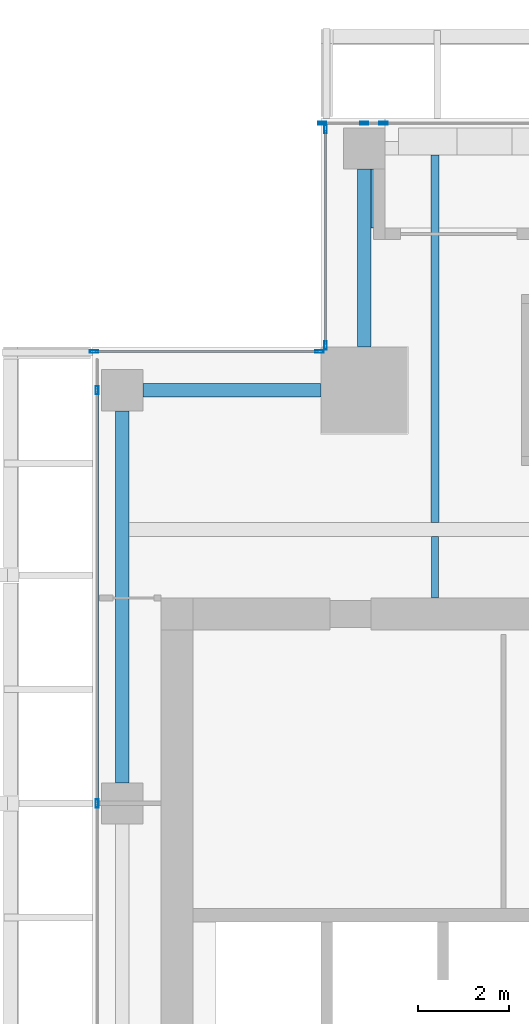
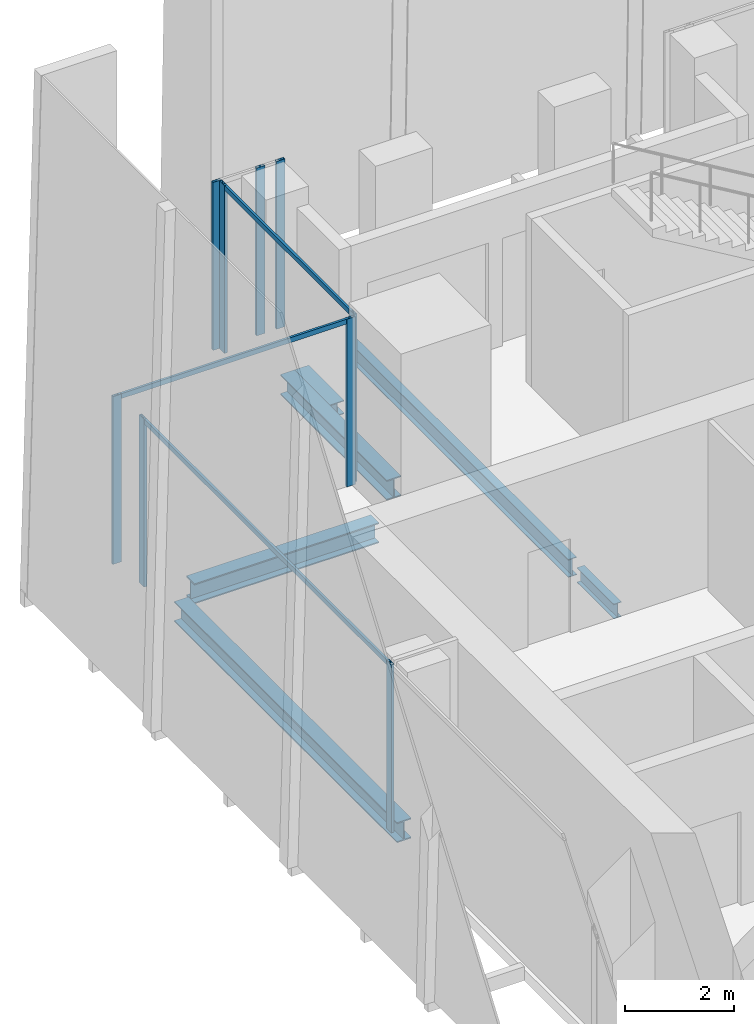
# One storey, part 14 of 35: 12 members, 6 beams, 4 elements without a shape of their own.
"""IFC4 building model written with IfcOpenShell, lengths in metres."""

from ifc_helpers import new_model, si_unit, direction, frame, origin, origin_2d, place, context, subcontext, project, spatial, hollow_rectangle, i_section, extrude, source, transform, mapped, material, material_profile, profile_set, type_object, element, aggregate, save


model = new_model("IFC4")

# Units and contexts
model_context = context("Model", 3, precision=1e-05, world=origin(), true_north=direction((0.0, 1.0)))
body_context = subcontext(model_context, "Body", "Model", "MODEL_VIEW")
ifc_project = project(units=[si_unit("LENGTHUNIT", "METRE"), si_unit("AREAUNIT", "SQUARE_METRE"), si_unit("VOLUMEUNIT", "CUBIC_METRE"), si_unit("PLANEANGLEUNIT", "RADIAN"), si_unit("MASSUNIT", "GRAM", prefix="KILO")], contexts=[model_context])

# Site, building, storey
site_placement = place(None, origin())
site = spatial("IfcSite", under=ifc_project, at=site_placement, CompositionType="ELEMENT")
building_placement = place(site_placement, origin())
building = spatial("IfcBuilding", under=site, at=building_placement, Name="Khomas Fold Tower", CompositionType="ELEMENT")
storey_placement = place(building_placement, frame((0.0, 0.0, 246.199951171875)))
storey = spatial("IfcBuildingStorey", under=building, at=storey_placement, Name="L55", CompositionType="ELEMENT", Elevation=246.199951171875)

# Beams
ifc_material_1 = material(Name="Steel S355", Category="steel")
ifc_material_profile_1 = material_profile(ifc_material_1, i_section(OverallWidth=0.159912109375, OverallDepth=0.330078125, WebThickness=0.007568359375, FlangeThickness=0.011474609375, at=origin_2d()), Name="IPE 330")
ifc_profile_set_1 = profile_set([ifc_material_profile_1], Name="Steel S355")
beam_type_1 = type_object("IfcBeamType", Name="IPE 330 beam JB1", PredefinedType="BEAM", material=ifc_profile_set_1)
shared_shape_1 = source(origin(), body_context, "Body", "SweptSolid", [
    extrude(i_section(OverallWidth=0.159912109375, OverallDepth=0.330078125, WebThickness=0.007568359375, FlangeThickness=0.011474609375, at=origin_2d()), origin(), (0.0, 0.0, 1.0), 1.35009765625),
])
beam_1_placement = place(storey_placement, frame((12.0, 39.0, -0.4150390625), z_axis=(0.0, 1.0, 0.0), x_axis=(-1.0, 0.0, 0.0)))
element("IfcBeam", 1, at=beam_1_placement, inside=storey, type_object=beam_type_1, Name="JB1", PredefinedType="BEAM", context=body_context, shape_type="MappedRepresentation", body=[
    mapped(shared_shape_1, transform((0.0, 0.0, 0.0))),
])
ifc_material_2 = material(Name="Steel S355", Category="steel")
ifc_material_profile_2 = material_profile(ifc_material_2, i_section(OverallWidth=0.300048828125, OverallDepth=0.449951171875, WebThickness=0.013916015625, FlangeThickness=0.02587890625, at=origin_2d()), Name="HE 450 B")
ifc_profile_set_2 = profile_set([ifc_material_profile_2], Name="Steel S355")
beam_type_2 = type_object("IfcBeamType", Name="HE 450 B spandrel SB4", PredefinedType="SPANDREL", material=ifc_profile_set_2)
shared_shape_2 = source(origin(), body_context, "Body", "SweptSolid", [
    extrude(i_section(OverallWidth=0.300048828125, OverallDepth=0.449951171875, WebThickness=0.013916015625, FlangeThickness=0.02587890625, at=origin_2d()), origin(), (0.0, 0.0, 1.0), 8.150146484375),
])
beam_2_placement = place(storey_placement, frame((5.14990234375, 34.949951171875, -0.474853515625), z_axis=(0.0, 1.0, 0.0), x_axis=(-1.0, 0.0, 0.0)))
element("IfcBeam", 2, at=beam_2_placement, inside=storey, type_object=beam_type_2, Name="SB4", PredefinedType="SPANDREL", context=body_context, shape_type="MappedRepresentation", body=[
    mapped(shared_shape_2, transform((0.0, 0.0, 0.0))),
])
shared_shape_3 = source(origin(), body_context, "Body", "SweptSolid", [
    extrude(i_section(OverallWidth=0.300048828125, OverallDepth=0.449951171875, WebThickness=0.013916015625, FlangeThickness=0.02587890625, at=origin_2d()), origin(), (0.0, 0.0, 1.0), 3.89990234375),
])
for number, where, z_axis, x_axis, name in (
    (3, (10.449951171875, 44.5, -0.474853515625), (0.0, 1.0, 0.0), (-1.0, 0.0, 0.0), "SB4"),
    (4, (5.60009765625, 43.550048828125, -0.474853515625), (1.0, 0.0, 0.0), (0.0, 1.0, 0.0), "SB4"),
):
    element("IfcBeam", number, at=place(storey_placement, frame(where, z_axis=z_axis, x_axis=x_axis)), inside=storey, type_object=beam_type_2, Name=name, PredefinedType="SPANDREL", context=body_context, shape_type="MappedRepresentation", body=[
        mapped(shared_shape_3, transform((0.0, 0.0, 0.0))),
    ])
ifc_material_3 = material(Name="Steel S355", Category="steel")
ifc_material_profile_3 = material_profile(ifc_material_3, i_section(OverallWidth=0.179931640625, OverallDepth=0.39990234375, WebThickness=0.008544921875, FlangeThickness=0.013427734375, at=origin_2d()), Name="IPE 400")
ifc_profile_set_3 = profile_set([ifc_material_profile_3], Name="Steel S355")
beam_type_3 = type_object("IfcBeamType", Name="IPE 400 beam JB3", PredefinedType="BEAM", material=ifc_profile_set_3)
shared_shape_4 = source(origin(), body_context, "Body", "SweptSolid", [
    extrude(i_section(OverallWidth=0.179931640625, OverallDepth=0.39990234375, WebThickness=0.008544921875, FlangeThickness=0.013427734375, at=origin_2d()), origin(), (0.0, 0.0, 1.0), 8.050048828125),
])
beam_3_placement = place(storey_placement, frame((12.0, 40.64990234375, -0.449951171875), z_axis=(0.0, 1.0, 0.0), x_axis=(-1.0, 0.0, 0.0)))
element("IfcBeam", 5, at=beam_3_placement, inside=storey, type_object=beam_type_3, Name="JB3", PredefinedType="BEAM", context=body_context, shape_type="MappedRepresentation", body=[
    mapped(shared_shape_4, transform((0.0, 0.0, 0.0))),
])
ifc_material_4 = material(Name="Steel S355", Category="steel")
ifc_material_profile_4 = material_profile(ifc_material_4, i_section(OverallWidth=0.300048828125, OverallDepth=0.300048828125, WebThickness=0.010986328125, FlangeThickness=0.01904296875, at=origin_2d()), Name="HE 300 B")
ifc_profile_set_4 = profile_set([ifc_material_profile_4], Name="Steel S355")
beam_type_4 = type_object("IfcBeamType", Name="HE 300 B beam BB1", PredefinedType="BEAM", material=ifc_profile_set_4)
shared_shape_5 = source(origin(), body_context, "Body", "SweptSolid", [
    extrude(i_section(OverallWidth=0.300048828125, OverallDepth=0.300048828125, WebThickness=0.010986328125, FlangeThickness=0.01904296875, at=origin_2d()), origin(), (0.0, 0.0, 1.0), 1.2998046875),
])
beam_4_placement = place(storey_placement, frame((10.75, 47.10009765625, -0.39990234375), z_axis=(0.0, 1.0, 0.0), x_axis=(-1.0, 0.0, 0.0)))
element("IfcBeam", 6, at=beam_4_placement, inside=storey, type_object=beam_type_4, Name="BB1", PredefinedType="BEAM", context=body_context, shape_type="MappedRepresentation", body=[
    mapped(shared_shape_5, transform((0.0, 0.0, 0.0))),
])

# Curtain wall, members
ifc_material_5 = material(Name="Aluminium framed double glazing", Category="aluminium")
curtain_wall_type = type_object("IfcCurtainWallType", Name="SK-Unitised clear-glass wall, office floors CW2", PredefinedType="NOTDEFINED", material=ifc_material_5)
curtain_wall_1_placement = place(storey_placement, origin())
curtain_wall_1 = element("IfcCurtainWall", 7, at=curtain_wall_1_placement, inside=storey, type_object=curtain_wall_type, Name="CW2 run L55 06-1", PredefinedType="NOTDEFINED")
ifc_material_6 = material(Name="Aluminium", Category="aluminium")
ifc_material_profile_5 = material_profile(ifc_material_6, hollow_rectangle(XDim=0.06005859375, YDim=0.179931640625, WallThickness=0.00390625, at=origin_2d()), Name="SK-Unitised clear-glass wall, office floors mullion CW2-M")
ifc_profile_set_5 = profile_set([ifc_material_profile_5], Name="Aluminium")
member_type_1 = type_object("IfcMemberType", Name="SK-Unitised clear-glass wall, office floors mullion CW2-M", PredefinedType="MULLION", material=ifc_profile_set_5)
shared_shape_6 = source(origin(), body_context, "Body", "SweptSolid", [
    extrude(hollow_rectangle(XDim=0.06005859375, YDim=0.179931640625, WallThickness=0.00390625, at=origin_2d()), origin(), (0.0, 0.0, 1.0), 3.75),
])
member_1_placement = place(storey_placement, frame((10.8701171875, 49.39990234375, 0.0), z_axis=(0.0, 0.0, 1.0), x_axis=(0.0, -1.0, 0.0)))
member_1 = element("IfcMember", 8, at=member_1_placement, type_object=member_type_1, Name="CW2 mullion 1", PredefinedType="MULLION", context=body_context, shape_type="MappedRepresentation", body=[
    mapped(shared_shape_6, transform((0.0, 0.0, 0.0))),
])
member_2_placement = place(storey_placement, frame((10.449951171875, 49.39990234375, 0.0), z_axis=(0.0, 0.0, 1.0), x_axis=(0.0, -1.0, 0.0)))
member_2 = element("IfcMember", 9, at=member_2_placement, type_object=member_type_1, Name="CW2 mullion 2", PredefinedType="MULLION", context=body_context, shape_type="MappedRepresentation", body=[
    mapped(shared_shape_6, transform((0.0, 0.0, 0.0))),
])
member_3_placement = place(storey_placement, frame((9.530029296875, 49.39990234375, 0.0), z_axis=(0.0, 0.0, 1.0), x_axis=(0.0, -1.0, 0.0)))
member_3 = element("IfcMember", 10, at=member_3_placement, type_object=member_type_1, Name="CW2 mullion 3", PredefinedType="MULLION", context=body_context, shape_type="MappedRepresentation", body=[
    mapped(shared_shape_6, transform((0.0, 0.0, 0.0))),
])
aggregate(curtain_wall_1, [member_1, member_2, member_3])

curtain_wall_2_placement = place(storey_placement, origin())
curtain_wall_2 = element("IfcCurtainWall", 11, at=curtain_wall_2_placement, inside=storey, type_object=curtain_wall_type, Name="CW2 corner return L55 07", PredefinedType="NOTDEFINED")
member_4_placement = place(storey_placement, frame((9.60009765625, 49.27001953125, 0.0), z_axis=(0.0, 0.0, 1.0), x_axis=(1.0, 0.0, 0.0)))
member_4 = element("IfcMember", 12, at=member_4_placement, type_object=member_type_1, Name="CW2 mullion 1", PredefinedType="MULLION", context=body_context, shape_type="MappedRepresentation", body=[
    mapped(shared_shape_6, transform((0.0, 0.0, 0.0))),
])
member_5_placement = place(storey_placement, frame((9.60009765625, 44.530029296875, 0.0), z_axis=(0.0, 0.0, 1.0), x_axis=(1.0, 0.0, 0.0)))
member_5 = element("IfcMember", 13, at=member_5_placement, type_object=member_type_1, Name="CW2 mullion 2", PredefinedType="MULLION", context=body_context, shape_type="MappedRepresentation", body=[
    mapped(shared_shape_6, transform((0.0, 0.0, 0.0))),
])

curtain_wall_3_placement = place(storey_placement, origin())
curtain_wall_3 = element("IfcCurtainWall", 14, at=curtain_wall_3_placement, inside=storey, type_object=curtain_wall_type, Name="CW2 corner return L55 08", PredefinedType="NOTDEFINED")
member_6_placement = place(storey_placement, frame((9.469970703125, 44.39990234375, 0.0), z_axis=(0.0, 0.0, 1.0), x_axis=(0.0, -1.0, 0.0)))
member_6 = element("IfcMember", 15, at=member_6_placement, type_object=member_type_1, Name="CW2 mullion 1", PredefinedType="MULLION", context=body_context, shape_type="MappedRepresentation", body=[
    mapped(shared_shape_6, transform((0.0, 0.0, 0.0))),
])
member_7_placement = place(storey_placement, frame((4.530029296875, 44.39990234375, 0.0), z_axis=(0.0, 0.0, 1.0), x_axis=(0.0, -1.0, 0.0)))
member_7 = element("IfcMember", 16, at=member_7_placement, type_object=member_type_1, Name="CW2 mullion 2", PredefinedType="MULLION", context=body_context, shape_type="MappedRepresentation", body=[
    mapped(shared_shape_6, transform((0.0, 0.0, 0.0))),
])

curtain_wall_4_placement = place(storey_placement, origin())
curtain_wall_4 = element("IfcCurtainWall", 17, at=curtain_wall_4_placement, inside=storey, type_object=curtain_wall_type, Name="CW2 run L55 09-0", PredefinedType="NOTDEFINED")
member_8_placement = place(storey_placement, frame((4.60009765625, 43.550048828125, 0.0), z_axis=(0.0, 0.0, 1.0), x_axis=(1.0, 0.0, 0.0)))
member_8 = element("IfcMember", 18, at=member_8_placement, type_object=member_type_1, Name="CW2 mullion 2", PredefinedType="MULLION", context=body_context, shape_type="MappedRepresentation", body=[
    mapped(shared_shape_6, transform((0.0, 0.0, 0.0))),
])
member_9_placement = place(storey_placement, frame((4.60009765625, 34.5, 0.0), z_axis=(0.0, 0.0, 1.0), x_axis=(1.0, 0.0, 0.0)))
member_9 = element("IfcMember", 19, at=member_9_placement, type_object=member_type_1, Name="CW2 mullion 3", PredefinedType="MULLION", context=body_context, shape_type="MappedRepresentation", body=[
    mapped(shared_shape_6, transform((0.0, 0.0, 0.0))),
])
ifc_material_7 = material(Name="Aluminium", Category="aluminium")
ifc_material_profile_6 = material_profile(ifc_material_7, hollow_rectangle(XDim=0.050048828125, YDim=0.110107421875, WallThickness=0.00390625, at=origin_2d()), Name="SK-Unitised clear-glass wall, office floors transom CW2-T")
ifc_profile_set_6 = profile_set([ifc_material_profile_6], Name="Aluminium")
member_type_2 = type_object("IfcMemberType", Name="SK-Unitised clear-glass wall, office floors transom CW2-T", PredefinedType="USERDEFINED", material=ifc_profile_set_6)
shared_shape_7 = source(origin(), body_context, "Body", "SweptSolid", [
    extrude(hollow_rectangle(XDim=0.050048828125, YDim=0.110107421875, WallThickness=0.00390625, at=origin_2d()), origin(), (0.0, 0.0, 1.0), 8.989990234375),
])
member_10_placement = place(storey_placement, frame((4.60009765625, 43.52001953125, 3.695068359375), z_axis=(0.0, -1.0, 0.0), x_axis=(1.0, 0.0, 0.0)))
member_10 = element("IfcMember", 20, at=member_10_placement, type_object=member_type_2, Name="CW2 transom 2", ObjectType="TRANSOM", PredefinedType="USERDEFINED", context=body_context, shape_type="MappedRepresentation", body=[
    mapped(shared_shape_7, transform((0.0, 0.0, 0.0))),
])
aggregate(curtain_wall_4, [member_8, member_9, member_10])

# Member
shared_shape_8 = source(origin(), body_context, "Body", "SweptSolid", [
    extrude(hollow_rectangle(XDim=0.050048828125, YDim=0.110107421875, WallThickness=0.00390625, at=origin_2d()), origin(), (0.0, 0.0, 1.0), 4.679931640625),
])
member_11_placement = place(storey_placement, frame((9.60009765625, 49.239990234375, 3.695068359375), z_axis=(0.0, -1.0, 0.0), x_axis=(1.0, 0.0, 0.0)))
member_11 = element("IfcMember", 21, at=member_11_placement, type_object=member_type_2, Name="CW2 transom 1", ObjectType="TRANSOM", PredefinedType="USERDEFINED", context=body_context, shape_type="MappedRepresentation", body=[
    mapped(shared_shape_8, transform((0.0, 0.0, 0.0))),
])

aggregate(curtain_wall_2, [member_4, member_5, member_11])

shared_shape_9 = source(origin(), body_context, "Body", "SweptSolid", [
    extrude(hollow_rectangle(XDim=0.050048828125, YDim=0.110107421875, WallThickness=0.00390625, at=origin_2d()), origin(), (0.0, 0.0, 1.0), 4.8798828125),
])
member_12_placement = place(storey_placement, frame((9.43994140625, 44.39990234375, 3.695068359375), z_axis=(-1.0, 0.0, 0.0), x_axis=(0.0, -1.0, 0.0)))
member_12 = element("IfcMember", 22, at=member_12_placement, type_object=member_type_2, Name="CW2 transom 1", ObjectType="TRANSOM", PredefinedType="USERDEFINED", context=body_context, shape_type="MappedRepresentation", body=[
    mapped(shared_shape_9, transform((0.0, 0.0, 0.0))),
])

aggregate(curtain_wall_3, [member_6, member_7, member_12])

save(model, "model.ifc")
